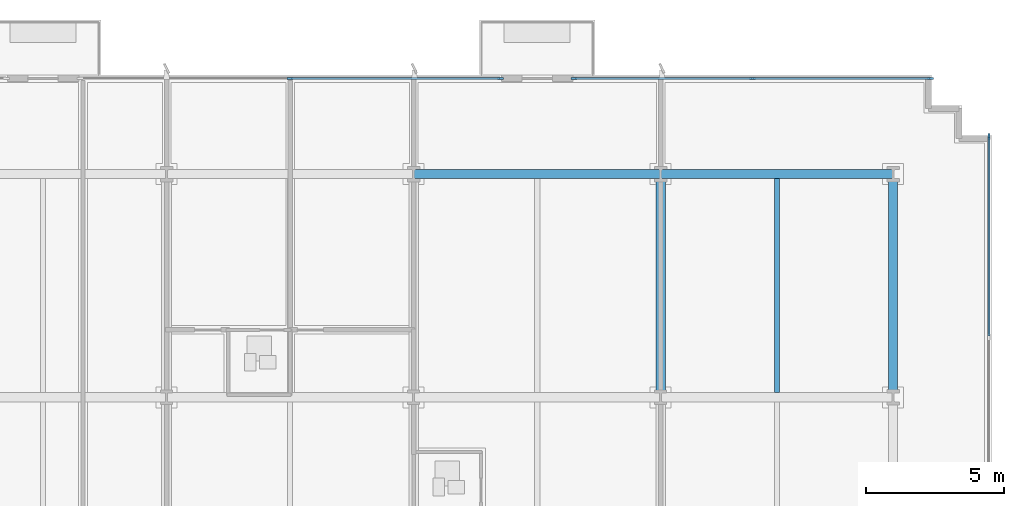
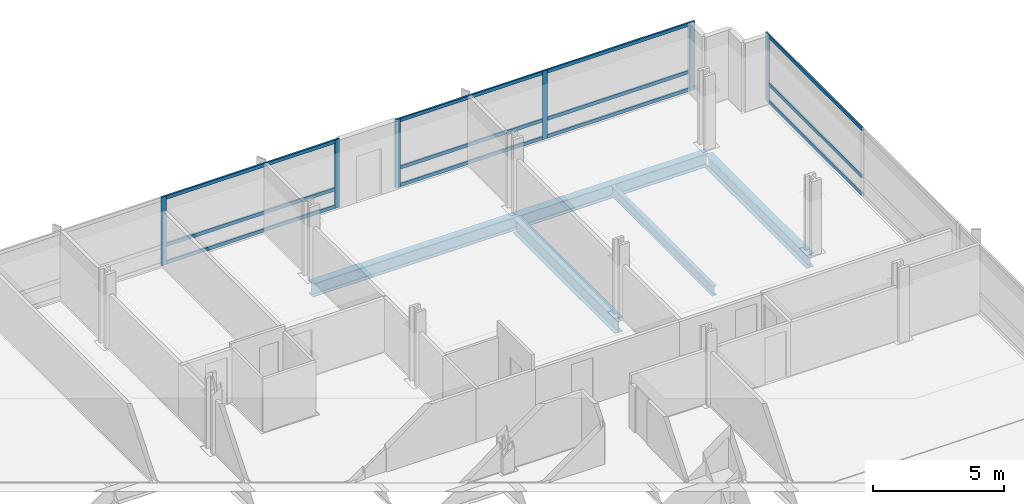
# One storey, part 6 of 16: 18 members, 5 beams, 3 elements without a shape of their own.
"""IFC4 building model written with IfcOpenShell, lengths in metres."""

from ifc_helpers import new_model, si_unit, direction, frame, origin, origin_2d, place, context, subcontext, project, spatial, rectangle, i_section, extrude, material, material_profile, profile_set, type_object, element, aggregate, save


model = new_model("IFC4")

# Units and contexts
model_context = context("Model", 3, precision=1e-05, world=origin(), true_north=direction((0.0, 1.0)))
body_context = subcontext(model_context, "Body", "Model", "MODEL_VIEW")
ifc_project = project(units=[si_unit("LENGTHUNIT", "METRE"), si_unit("AREAUNIT", "SQUARE_METRE"), si_unit("VOLUMEUNIT", "CUBIC_METRE"), si_unit("PLANEANGLEUNIT", "RADIAN"), si_unit("MASSUNIT", "GRAM", prefix="KILO")], contexts=[model_context])

# Site, building, storey
site_placement = place(None, origin())
site = spatial("IfcSite", under=ifc_project, at=site_placement, CompositionType="ELEMENT")
building_placement = place(site_placement, origin())
building = spatial("IfcBuilding", under=site, at=building_placement, Name="Solmavex Isthmus Hotel", CompositionType="ELEMENT")
storey_placement = place(building_placement, frame((0.0, 0.0, 36.75)))
storey = spatial("IfcBuildingStorey", under=building, at=storey_placement, Name="L09", CompositionType="ELEMENT", Elevation=36.75)

# Beams
ifc_material_1 = material(Name="Steel ASTM A992 Grade 50", Category="steel")
ifc_material_profile_1 = material_profile(ifc_material_1, i_section(OverallWidth=0.354736328125, OverallDepth=0.695556640625, WebThickness=0.015380859375, FlangeThickness=0.02490234375, FilletRadius=0.017822265625, at=origin_2d()), Name="W27X146")
ifc_profile_set_1 = profile_set([ifc_material_profile_1], Name="Steel ASTM A992 Grade 50")
beam_type_1 = type_object("IfcBeamType", Name="BM-BG-W27X146", PredefinedType="BEAM", material=ifc_profile_set_1)
beam_1_placement = place(storey_placement, frame((17.951904296875, 8.96533203125, -0.607666015625), z_axis=(0.0, 1.0, 0.0), x_axis=(-1.0, 0.0, 0.0)))
element("IfcBeam", 1, at=beam_1_placement, inside=storey, type_object=beam_type_1, Name="Floor Beam L09-VG45", PredefinedType="BEAM", context=body_context, shape_type="SweptSolid", body=[
    extrude(i_section(OverallWidth=0.354736328125, OverallDepth=0.695556640625, WebThickness=0.015380859375, FlangeThickness=0.02490234375, FilletRadius=0.017822265625, at=origin_2d()), origin(), (0.0, 0.0, 1.0), 7.771484375),
])
ifc_material_profile_2 = material_profile(ifc_material_1, i_section(OverallWidth=0.1904296875, OverallDepth=0.456787109375, WebThickness=0.009033203125, FlangeThickness=0.014404296875, FilletRadius=0.0126953125, at=origin_2d()), Name="W18X50")
ifc_profile_set_2 = profile_set([ifc_material_profile_2], Name="Steel ASTM A992 Grade 50")
beam_type_2 = type_object("IfcBeamType", Name="BM-BJ-W18X50", PredefinedType="JOIST", material=ifc_profile_set_2)
beam_2_placement = place(storey_placement, frame((22.176025390625, 8.96533203125, -0.488525390625), z_axis=(0.0, 1.0, 0.0), x_axis=(-1.0, 0.0, 0.0)))
element("IfcBeam", 2, at=beam_2_placement, inside=storey, type_object=beam_type_2, Name="Secondary Floor Joist L09-J22", PredefinedType="JOIST", context=body_context, shape_type="SweptSolid", body=[
    extrude(i_section(OverallWidth=0.1904296875, OverallDepth=0.456787109375, WebThickness=0.009033203125, FlangeThickness=0.014404296875, FilletRadius=0.0126953125, at=origin_2d()), origin(), (0.0, 0.0, 1.0), 7.771484375),
])
ifc_material_profile_3 = material_profile(ifc_material_1, i_section(OverallWidth=0.326416015625, OverallDepth=0.621826171875, WebThickness=0.015380859375, FlangeThickness=0.0244140625, FilletRadius=0.01513671875, at=origin_2d()), Name="W24X131")
ifc_profile_set_3 = profile_set([ifc_material_profile_3], Name="Steel ASTM A992 Grade 50")
beam_type_3 = type_object("IfcBeamType", Name="BM-SP-W24X131", PredefinedType="SPANDREL", material=ifc_profile_set_3)
beam_3_placement = place(storey_placement, frame((8.97607421875, 16.89990234375, -0.57080078125), z_axis=(1.0, 0.0, 0.0), x_axis=(0.0, 1.0, 0.0)))
element("IfcBeam", 3, at=beam_3_placement, inside=storey, type_object=beam_type_3, Name="Floor Girder L09-UG23", PredefinedType="SPANDREL", context=body_context, shape_type="SweptSolid", body=[
    extrude(i_section(OverallWidth=0.326416015625, OverallDepth=0.621826171875, WebThickness=0.015380859375, FlangeThickness=0.0244140625, FilletRadius=0.01513671875, at=origin_2d()), origin(), (0.0, 0.0, 1.0), 8.975830078125),
])
beam_4_placement = place(storey_placement, frame((17.951904296875, 16.89990234375, -0.57080078125), z_axis=(1.0, 0.0, 0.0), x_axis=(0.0, 1.0, 0.0)))
element("IfcBeam", 4, at=beam_4_placement, inside=storey, type_object=beam_type_3, Name="Floor Girder L09-UG24", PredefinedType="SPANDREL", context=body_context, shape_type="SweptSolid", body=[
    extrude(i_section(OverallWidth=0.326416015625, OverallDepth=0.621826171875, WebThickness=0.015380859375, FlangeThickness=0.0244140625, FilletRadius=0.01513671875, at=origin_2d()), origin(), (0.0, 0.0, 1.0), 8.447998046875),
])
beam_5_placement = place(storey_placement, frame((26.39990234375, 8.96533203125, -0.57080078125), z_axis=(0.0, 1.0, 0.0), x_axis=(-1.0, 0.0, 0.0)))
element("IfcBeam", 5, at=beam_5_placement, inside=storey, type_object=beam_type_3, Name="Floor Beam L09-VG48", PredefinedType="SPANDREL", context=body_context, shape_type="SweptSolid", body=[
    extrude(i_section(OverallWidth=0.326416015625, OverallDepth=0.621826171875, WebThickness=0.015380859375, FlangeThickness=0.0244140625, FilletRadius=0.01513671875, at=origin_2d()), origin(), (0.0, 0.0, 1.0), 7.771484375),
])

# Curtain wall, members
ifc_material_2 = material(Name="Aluminium alloy 6063-T6", Category="aluminium")
curtain_wall_type = type_object("IfcCurtainWallType", Name="CW-SYS-02", PredefinedType="NOTDEFINED", material=ifc_material_2)
curtain_wall_1_placement = place(storey_placement, origin())
curtain_wall_1 = element("IfcCurtainWall", 6, at=curtain_wall_1_placement, inside=storey, type_object=curtain_wall_type, Name="Stick Curtain Wall CWL-L09-N2", PredefinedType="NOTDEFINED")
ifc_material_profile_4 = material_profile(ifc_material_2, rectangle(XDim=0.074951171875, YDim=0.219970703125, at=origin_2d()), Name="CWM-75X220")
ifc_profile_set_4 = profile_set([ifc_material_profile_4], Name="Aluminium alloy 6063-T6")
member_type_1 = type_object("IfcMemberType", Name="CW-SYS-02-MUL", PredefinedType="MULLION", material=ifc_profile_set_4)
member_1_placement = place(storey_placement, frame((4.488037109375, 20.3798828125, 0.0), z_axis=(0.0, 0.0, 1.0), x_axis=(0.0, 1.0, 0.0)))
member_1 = element("IfcMember", 7, at=member_1_placement, type_object=member_type_1, Name="CW-02 mullion 2", PredefinedType="MULLION", context=body_context, shape_type="SweptSolid", body=[
    extrude(rectangle(XDim=0.074951171875, YDim=0.219970703125, at=origin_2d()), origin(), (0.0, 0.0, 1.0), 3.18994140625),
])
member_2_placement = place(storey_placement, frame((12.12646484375, 20.3798828125, 0.0), z_axis=(0.0, 0.0, 1.0), x_axis=(0.0, 1.0, 0.0)))
member_2 = element("IfcMember", 8, at=member_2_placement, type_object=member_type_1, Name="CW-02 mullion 3", PredefinedType="MULLION", context=body_context, shape_type="SweptSolid", body=[
    extrude(rectangle(XDim=0.074951171875, YDim=0.219970703125, at=origin_2d()), origin(), (0.0, 0.0, 1.0), 3.18994140625),
])

curtain_wall_2_placement = place(storey_placement, origin())
curtain_wall_2 = element("IfcCurtainWall", 9, at=curtain_wall_2_placement, inside=storey, type_object=curtain_wall_type, Name="Stick Curtain Wall CWL-L09-N3", PredefinedType="NOTDEFINED")
member_3_placement = place(storey_placement, frame((14.801513671875, 20.3798828125, 0.0), z_axis=(0.0, 0.0, 1.0), x_axis=(0.0, 1.0, 0.0)))
member_3 = element("IfcMember", 10, at=member_3_placement, type_object=member_type_1, Name="CW-02 mullion 1", PredefinedType="MULLION", context=body_context, shape_type="SweptSolid", body=[
    extrude(rectangle(XDim=0.074951171875, YDim=0.219970703125, at=origin_2d()), origin(), (0.0, 0.0, 1.0), 3.18994140625),
])
member_4_placement = place(storey_placement, frame((21.281982421875, 20.3798828125, 0.0), z_axis=(0.0, 0.0, 1.0), x_axis=(0.0, 1.0, 0.0)))
member_4 = element("IfcMember", 11, at=member_4_placement, type_object=member_type_1, Name="CW-02 mullion 2", PredefinedType="MULLION", context=body_context, shape_type="SweptSolid", body=[
    extrude(rectangle(XDim=0.074951171875, YDim=0.219970703125, at=origin_2d()), origin(), (0.0, 0.0, 1.0), 3.18994140625),
])
member_5_placement = place(storey_placement, frame((27.762451171875, 20.3798828125, 0.0), z_axis=(0.0, 0.0, 1.0), x_axis=(0.0, 1.0, 0.0)))
member_5 = element("IfcMember", 12, at=member_5_placement, type_object=member_type_1, Name="CW-02 mullion 3", PredefinedType="MULLION", context=body_context, shape_type="SweptSolid", body=[
    extrude(rectangle(XDim=0.074951171875, YDim=0.219970703125, at=origin_2d()), origin(), (0.0, 0.0, 1.0), 3.18994140625),
])

# Curtain wall, member
curtain_wall_3_placement = place(storey_placement, origin())
curtain_wall_3 = element("IfcCurtainWall", 13, at=curtain_wall_3_placement, inside=storey, type_object=curtain_wall_type, Name="Stick Curtain Wall CWL-L09-E1", PredefinedType="NOTDEFINED")
member_6_placement = place(storey_placement, frame((29.8798828125, 18.262451171875, 0.0), z_axis=(0.0, 0.0, 1.0), x_axis=(-1.0, 0.0, 0.0)))
member_6 = element("IfcMember", 14, at=member_6_placement, type_object=member_type_1, Name="CW-02 mullion 6", PredefinedType="MULLION", context=body_context, shape_type="SweptSolid", body=[
    extrude(rectangle(XDim=0.074951171875, YDim=0.219970703125, at=origin_2d()), origin(), (0.0, 0.0, 1.0), 3.18994140625),
])

# Member
ifc_material_profile_5 = material_profile(ifc_material_2, rectangle(XDim=0.074951171875, YDim=0.159912109375, at=origin_2d()), Name="CWT-75X160")
ifc_profile_set_5 = profile_set([ifc_material_profile_5], Name="Aluminium alloy 6063-T6")
member_type_2 = type_object("IfcMemberType", Name="CW-SYS-02-TRN", PredefinedType="USERDEFINED", material=ifc_profile_set_5)
member_7_placement = place(storey_placement, frame((4.525390625, 20.3798828125, 0.080078125), z_axis=(1.0, 0.0, 0.0), x_axis=(0.0, 1.0, 0.0)))
member_7 = element("IfcMember", 15, at=member_7_placement, type_object=member_type_2, Name="CW-02 transom 2.1", ObjectType="TRANSOM", PredefinedType="USERDEFINED", context=body_context, shape_type="SweptSolid", body=[
    extrude(rectangle(XDim=0.074951171875, YDim=0.159912109375, at=origin_2d()), origin(), (0.0, 0.0, 1.0), 7.563720703125),
])

member_8_placement = place(storey_placement, frame((4.525390625, 20.3798828125, 0.89990234375), z_axis=(1.0, 0.0, 0.0), x_axis=(0.0, 1.0, 0.0)))
member_8 = element("IfcMember", 16, at=member_8_placement, type_object=member_type_2, Name="CW-02 transom 2.2", ObjectType="TRANSOM", PredefinedType="USERDEFINED", context=body_context, shape_type="SweptSolid", body=[
    extrude(rectangle(XDim=0.074951171875, YDim=0.159912109375, at=origin_2d()), origin(), (0.0, 0.0, 1.0), 7.563720703125),
])

member_9_placement = place(storey_placement, frame((4.525390625, 20.3798828125, 3.110107421875), z_axis=(1.0, 0.0, 0.0), x_axis=(0.0, 1.0, 0.0)))
member_9 = element("IfcMember", 17, at=member_9_placement, type_object=member_type_2, Name="CW-02 transom 2.3", ObjectType="TRANSOM", PredefinedType="USERDEFINED", context=body_context, shape_type="SweptSolid", body=[
    extrude(rectangle(XDim=0.074951171875, YDim=0.159912109375, at=origin_2d()), origin(), (0.0, 0.0, 1.0), 7.563720703125),
])

aggregate(curtain_wall_1, [member_1, member_2, member_7, member_8, member_9])

member_10_placement = place(storey_placement, frame((14.839111328125, 20.3798828125, 0.080078125), z_axis=(1.0, 0.0, 0.0), x_axis=(0.0, 1.0, 0.0)))
member_10 = element("IfcMember", 18, at=member_10_placement, type_object=member_type_2, Name="CW-02 transom 1.1", ObjectType="TRANSOM", PredefinedType="USERDEFINED", context=body_context, shape_type="SweptSolid", body=[
    extrude(rectangle(XDim=0.074951171875, YDim=0.159912109375, at=origin_2d()), origin(), (0.0, 0.0, 1.0), 6.4052734375),
])

member_11_placement = place(storey_placement, frame((14.839111328125, 20.3798828125, 0.89990234375), z_axis=(1.0, 0.0, 0.0), x_axis=(0.0, 1.0, 0.0)))
member_11 = element("IfcMember", 19, at=member_11_placement, type_object=member_type_2, Name="CW-02 transom 1.2", ObjectType="TRANSOM", PredefinedType="USERDEFINED", context=body_context, shape_type="SweptSolid", body=[
    extrude(rectangle(XDim=0.074951171875, YDim=0.159912109375, at=origin_2d()), origin(), (0.0, 0.0, 1.0), 6.4052734375),
])

member_12_placement = place(storey_placement, frame((14.839111328125, 20.3798828125, 3.110107421875), z_axis=(1.0, 0.0, 0.0), x_axis=(0.0, 1.0, 0.0)))
member_12 = element("IfcMember", 20, at=member_12_placement, type_object=member_type_2, Name="CW-02 transom 1.3", ObjectType="TRANSOM", PredefinedType="USERDEFINED", context=body_context, shape_type="SweptSolid", body=[
    extrude(rectangle(XDim=0.074951171875, YDim=0.159912109375, at=origin_2d()), origin(), (0.0, 0.0, 1.0), 6.4052734375),
])

member_13_placement = place(storey_placement, frame((21.319580078125, 20.3798828125, 0.080078125), z_axis=(1.0, 0.0, 0.0), x_axis=(0.0, 1.0, 0.0)))
member_13 = element("IfcMember", 21, at=member_13_placement, type_object=member_type_2, Name="CW-02 transom 2.1", ObjectType="TRANSOM", PredefinedType="USERDEFINED", context=body_context, shape_type="SweptSolid", body=[
    extrude(rectangle(XDim=0.074951171875, YDim=0.159912109375, at=origin_2d()), origin(), (0.0, 0.0, 1.0), 6.405517578125),
])

member_14_placement = place(storey_placement, frame((21.319580078125, 20.3798828125, 0.89990234375), z_axis=(1.0, 0.0, 0.0), x_axis=(0.0, 1.0, 0.0)))
member_14 = element("IfcMember", 22, at=member_14_placement, type_object=member_type_2, Name="CW-02 transom 2.2", ObjectType="TRANSOM", PredefinedType="USERDEFINED", context=body_context, shape_type="SweptSolid", body=[
    extrude(rectangle(XDim=0.074951171875, YDim=0.159912109375, at=origin_2d()), origin(), (0.0, 0.0, 1.0), 6.405517578125),
])

member_15_placement = place(storey_placement, frame((21.319580078125, 20.3798828125, 3.110107421875), z_axis=(1.0, 0.0, 0.0), x_axis=(0.0, 1.0, 0.0)))
member_15 = element("IfcMember", 23, at=member_15_placement, type_object=member_type_2, Name="CW-02 transom 2.3", ObjectType="TRANSOM", PredefinedType="USERDEFINED", context=body_context, shape_type="SweptSolid", body=[
    extrude(rectangle(XDim=0.074951171875, YDim=0.159912109375, at=origin_2d()), origin(), (0.0, 0.0, 1.0), 6.405517578125),
])

aggregate(curtain_wall_2, [member_3, member_4, member_5, member_10, member_11, member_12, member_13, member_14, member_15])

member_16_placement = place(storey_placement, frame((29.8798828125, 11.017578125, 0.080078125), z_axis=(0.0, 1.0, 0.0), x_axis=(-1.0, 0.0, 0.0)))
member_16 = element("IfcMember", 24, at=member_16_placement, type_object=member_type_2, Name="CW-02 transom 5.1", ObjectType="TRANSOM", PredefinedType="USERDEFINED", context=body_context, shape_type="SweptSolid", body=[
    extrude(rectangle(XDim=0.074951171875, YDim=0.159912109375, at=origin_2d()), origin(), (0.0, 0.0, 1.0), 7.20751953125),
])

member_17_placement = place(storey_placement, frame((29.8798828125, 11.017578125, 0.89990234375), z_axis=(0.0, 1.0, 0.0), x_axis=(-1.0, 0.0, 0.0)))
member_17 = element("IfcMember", 25, at=member_17_placement, type_object=member_type_2, Name="CW-02 transom 5.2", ObjectType="TRANSOM", PredefinedType="USERDEFINED", context=body_context, shape_type="SweptSolid", body=[
    extrude(rectangle(XDim=0.074951171875, YDim=0.159912109375, at=origin_2d()), origin(), (0.0, 0.0, 1.0), 7.20751953125),
])

member_18_placement = place(storey_placement, frame((29.8798828125, 11.017578125, 3.110107421875), z_axis=(0.0, 1.0, 0.0), x_axis=(-1.0, 0.0, 0.0)))
member_18 = element("IfcMember", 26, at=member_18_placement, type_object=member_type_2, Name="CW-02 transom 5.3", ObjectType="TRANSOM", PredefinedType="USERDEFINED", context=body_context, shape_type="SweptSolid", body=[
    extrude(rectangle(XDim=0.074951171875, YDim=0.159912109375, at=origin_2d()), origin(), (0.0, 0.0, 1.0), 7.20751953125),
])

aggregate(curtain_wall_3, [member_6, member_16, member_17, member_18])

save(model, "model.ifc")
